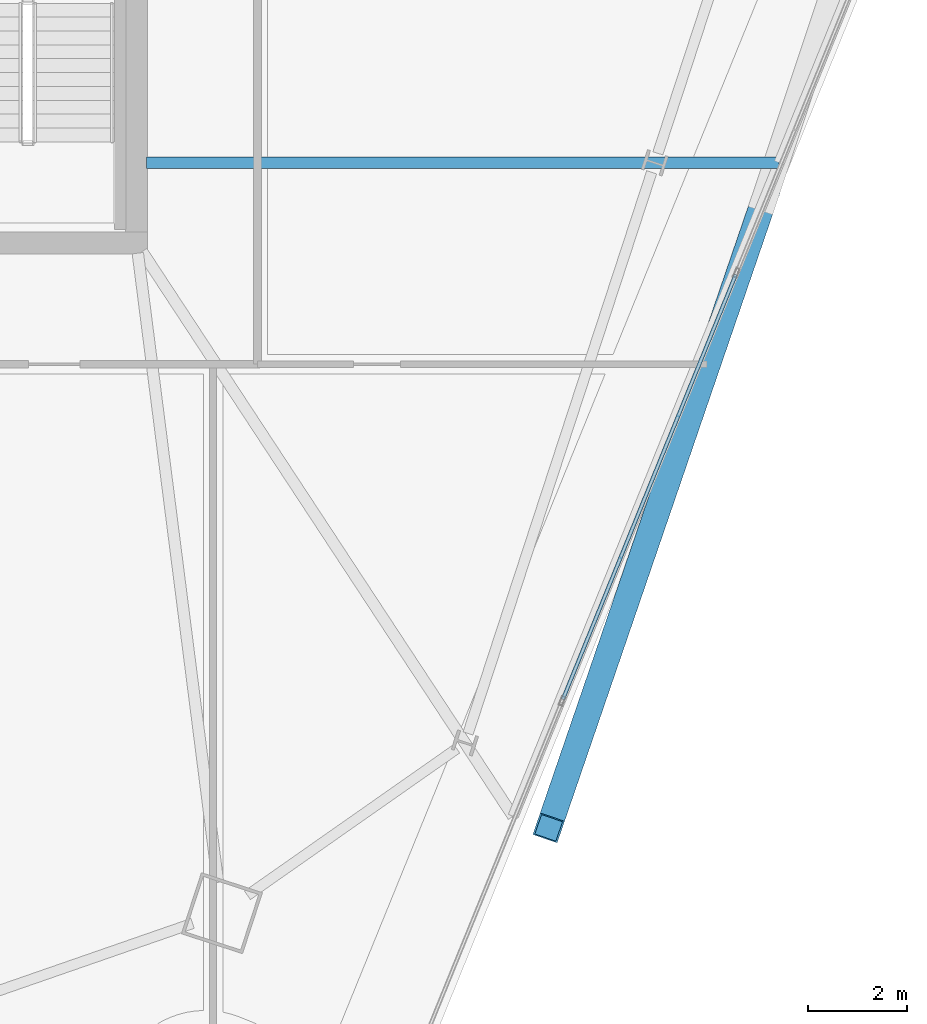
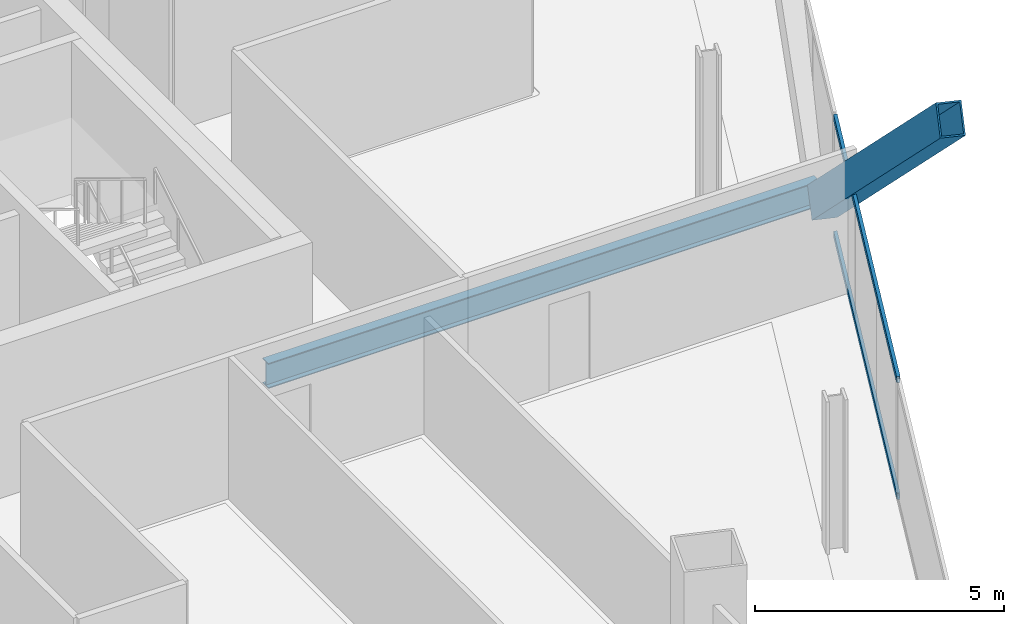
# One storey, part 12 of 31: 3 members, 1 beam, 1 element without a shape of its own.
"""IFC4 building model written with IfcOpenShell, lengths in metres."""

from ifc_helpers import new_model, si_unit, direction, frame, origin, origin_2d, place, context, subcontext, project, spatial, hollow_rectangle, i_section, extrude, material, material_profile, profile_set, type_object, element, aggregate, save


model = new_model("IFC4")

# Units and contexts
model_context = context("Model", 3, precision=1e-05, world=origin(), true_north=direction((0.0, 1.0)))
body_context = subcontext(model_context, "Body", "Model", "MODEL_VIEW")
ifc_project = project(units=[si_unit("LENGTHUNIT", "METRE"), si_unit("AREAUNIT", "SQUARE_METRE"), si_unit("VOLUMEUNIT", "CUBIC_METRE"), si_unit("PLANEANGLEUNIT", "RADIAN"), si_unit("MASSUNIT", "GRAM", prefix="KILO")], contexts=[model_context])

# Site, building, storey
site_placement = place(None, origin())
site = spatial("IfcSite", under=ifc_project, at=site_placement, CompositionType="ELEMENT")
building_placement = place(site_placement, origin())
building = spatial("IfcBuilding", under=site, at=building_placement, Name="Haldenkirk Collegiate Tower", CompositionType="ELEMENT")
storey_placement = place(building_placement, frame((0.0, 0.0, 256.199951171875)))
storey = spatial("IfcBuildingStorey", under=building, at=storey_placement, Name="L64", CompositionType="ELEMENT", Elevation=256.199951171875)

# Beam
ifc_material_1 = material(Name="Steel ASTM A992 Grade 50", Category="steel")
ifc_material_profile_1 = material_profile(ifc_material_1, i_section(OverallWidth=0.22998046875, OverallDepth=0.616943359375, WebThickness=0.01318359375, FlangeThickness=0.022216796875, at=origin_2d()), Name="W24X94")
ifc_profile_set_1 = profile_set([ifc_material_profile_1], Name="Steel ASTM A992 Grade 50")
beam_type = type_object("IfcBeamType", Name="BM-GIRDER-W24X94", PredefinedType="BEAM", material=ifc_profile_set_1)
beam_placement = place(storey_placement, frame((57.999755859375, 19.624267578125, -0.578369140625), z_axis=(-1.0, 0.0, 0.0), x_axis=(0.0, -1.0, 0.0)))
element("IfcBeam", 1, at=beam_placement, inside=storey, type_object=beam_type, Name="L64 primary floor girder 06", PredefinedType="BEAM", context=body_context, shape_type="SweptSolid", body=[
    extrude(i_section(OverallWidth=0.22998046875, OverallDepth=0.616943359375, WebThickness=0.01318359375, FlangeThickness=0.022216796875, at=origin_2d()), origin(), (0.0, 0.0, 1.0), 12.794677734375),
])

# Curtain wall, members
ifc_material_2 = material(Name="Anodised architectural bronze aluminium", Category="aluminium")
curtain_wall_type = type_object("IfcCurtainWallType", Name="CW-SYS2-CONCAVE", PredefinedType="USERDEFINED", material=ifc_material_2)
curtain_wall_placement = place(storey_placement, origin())
curtain_wall = element("IfcCurtainWall", 2, at=curtain_wall_placement, inside=storey, type_object=curtain_wall_type, Name="L64 South concave recessed bronze-anodised curtain wall", ObjectType="UNITISED CURTAIN WALL", PredefinedType="USERDEFINED")
ifc_material_profile_2 = material_profile(ifc_material_2, hollow_rectangle(XDim=0.074951171875, YDim=0.159912109375, WallThickness=0.0048828125, at=origin_2d()), Name="CW-TRN-02")
ifc_profile_set_2 = profile_set([ifc_material_profile_2], Name="Anodised architectural bronze aluminium")
member_type_1 = type_object("IfcMemberType", Name="CW-TRN-02", PredefinedType="USERDEFINED", material=ifc_profile_set_2)
member_1_placement = place(storey_placement, frame((57.121826171875, 17.361328125, 0.03759765625), z_axis=(-0.377047705183, -0.926193839332, 0.0), x_axis=(0.926193839332, -0.377047705183, 0.0)))
member_1 = element("IfcMember", 3, at=member_1_placement, type_object=member_type_1, Name="CW-02 transom 3.1", ObjectType="TRANSOM", PredefinedType="USERDEFINED", context=body_context, shape_type="SweptSolid", body=[
    extrude(hollow_rectangle(XDim=0.074951171875, YDim=0.159912109375, WallThickness=0.0048828125, at=origin_2d()), origin(), (0.0, 0.0, 1.0), 9.27490234375),
])
member_2_placement = place(storey_placement, frame((57.121826171875, 17.361328125, 2.900634765625), z_axis=(-0.377047705183, -0.926193839332, 0.0), x_axis=(0.926193839332, -0.377047705183, 0.0)))
member_2 = element("IfcMember", 4, at=member_2_placement, type_object=member_type_1, Name="CW-02 transom 3.2", ObjectType="TRANSOM", PredefinedType="USERDEFINED", context=body_context, shape_type="SweptSolid", body=[
    extrude(hollow_rectangle(XDim=0.074951171875, YDim=0.159912109375, WallThickness=0.0048828125, at=origin_2d()), origin(), (0.0, 0.0, 1.0), 9.27490234375),
])
aggregate(curtain_wall, [member_1, member_2])

# Member
ifc_material_3 = material(Name="Steel ASTM A572 Grade 50", Category="steel")
ifc_material_profile_3 = material_profile(ifc_material_3, hollow_rectangle(XDim=0.52001953125, YDim=0.719970703125, WallThickness=0.035888671875, at=origin_2d()), Name="BOX720X520X36")
ifc_profile_set_3 = profile_set([ifc_material_profile_3], Name="Steel ASTM A572 Grade 50")
member_type_2 = type_object("IfcMemberType", Name="MBR-MEGABRACE-BOX720X520X36", PredefinedType="BRACE", material=ifc_profile_set_3)
member_3_placement = place(storey_placement, frame((57.697509765625, 18.882080078125, -0.280029296875), z_axis=(-0.248766752554, -0.725307341542, 0.641906818104), x_axis=(0.945909950816, -0.324429291138, 0.0)))
element("IfcMember", 5, at=member_3_placement, inside=storey, type_object=member_type_2, Name="Perimeter Mega Brace Z5 L64-L66 SL", PredefinedType="BRACE", context=body_context, shape_type="SweptSolid", body=[
    extrude(hollow_rectangle(XDim=0.52001953125, YDim=0.719970703125, WallThickness=0.035888671875, at=origin_2d()), origin(), (0.0, 0.0, 1.0), 17.52587890625),
])

save(model, "model.ifc")
